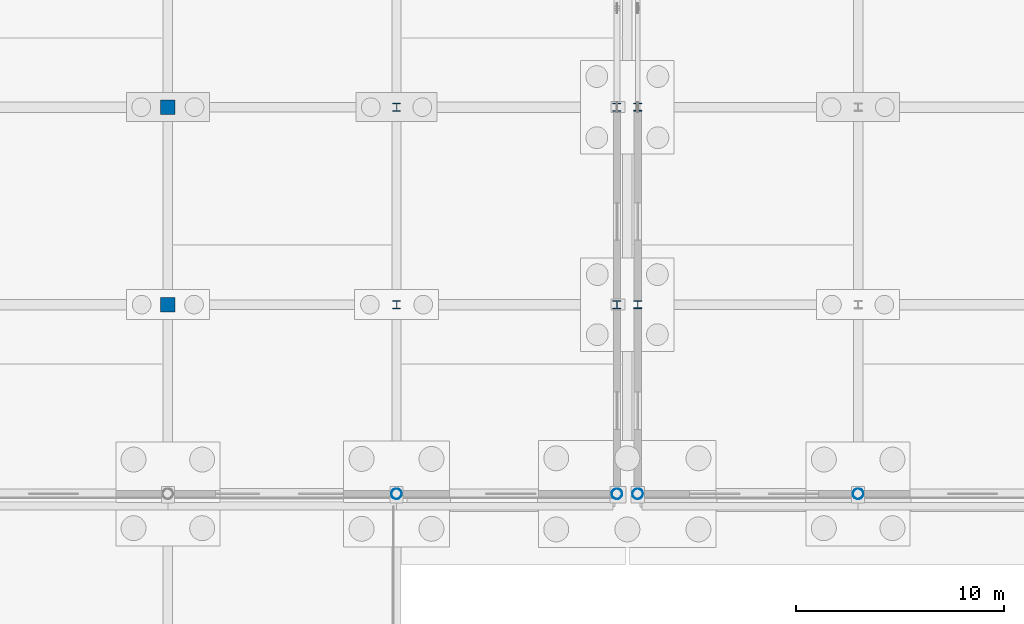
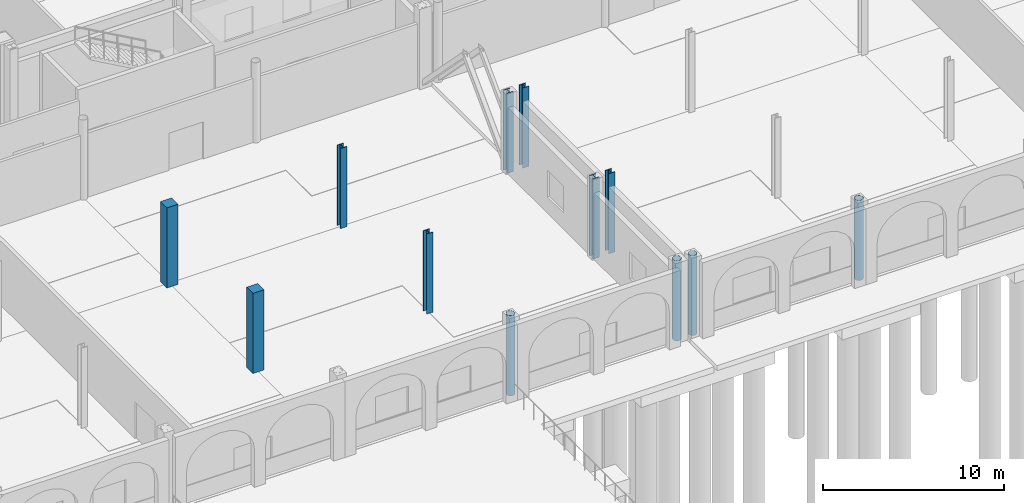
# One storey, part 17 of 83: 12 columns.
"""IFC4 building model written with IfcOpenShell, lengths in metres."""

from ifc_helpers import new_model, si_unit, direction, frame, origin, origin_2d, place, context, subcontext, project, spatial, rectangle, hollow_circle, i_section, extrude, material, material_profile, profile_set, type_object, element, save


model = new_model("IFC4")

# Units and contexts
model_context = context("Model", 3, precision=1e-05, world=origin(), true_north=direction((0.0, 1.0)))
body_context = subcontext(model_context, "Body", "Model", "MODEL_VIEW")
ifc_project = project(units=[si_unit("LENGTHUNIT", "METRE"), si_unit("AREAUNIT", "SQUARE_METRE"), si_unit("VOLUMEUNIT", "CUBIC_METRE"), si_unit("PLANEANGLEUNIT", "RADIAN"), si_unit("MASSUNIT", "GRAM", prefix="KILO")], contexts=[model_context])

# Site, building, storey
site_placement = place(None, origin())
site = spatial("IfcSite", under=ifc_project, at=site_placement, CompositionType="ELEMENT")
building_placement = place(site_placement, origin())
building = spatial("IfcBuilding", under=site, at=building_placement, Name="Caurita Quay Ferry Terminal", CompositionType="ELEMENT")
storey_placement = place(building_placement, origin())
storey = spatial("IfcBuildingStorey", under=building, at=storey_placement, Name="L00", CompositionType="ELEMENT", Elevation=0.0)

# Columns
ifc_material_1 = material(Name="Hollow structural steel ASTM A500 Gr. C", Category="steel")
ifc_material_profile_1 = material_profile(ifc_material_1, hollow_circle(Radius=0.25390625, WallThickness=0.01171875, at=origin_2d()), Name="HSS20.000X0.500")
ifc_profile_set_1 = profile_set([ifc_material_profile_1], Name="Hollow structural steel ASTM A500 Gr. C")
column_type_1 = type_object("IfcColumnType", Name="COL-MST-01", PredefinedType="COLUMN", material=ifc_profile_set_1)
for number, where, z_axis, x_axis, name in (
    (1, (77.0, 34.60009765625, 0.0), (0.0, 0.0, 1.0), (1.0, 0.0, 0.0), "L00 Column V1-MST-08-S"),
    (2, (87.60009765625, 34.60009765625, 0.0), (0.0, 0.0, 1.0), (1.0, 0.0, 0.0), "L00 Column V1-MST-09-S"),
    (3, (88.60009765625, 34.60009765625, 0.0), (0.0, 0.0, 1.0), (1.0, 0.0, 0.0), "L00 Column V2-MST-10-S"),
    (4, (99.199951171875, 34.60009765625, 0.0), (0.0, 0.0, 1.0), (1.0, 0.0, 0.0), "L00 Column V2-MST-11-S"),
):
    element("IfcColumn", number, at=place(storey_placement, frame(where, z_axis=z_axis, x_axis=x_axis)), inside=storey, type_object=column_type_1, Name=name, PredefinedType="COLUMN", context=body_context, shape_type="SweptSolid", body=[
        extrude(hollow_circle(Radius=0.25390625, WallThickness=0.01171875, at=origin_2d()), origin(), (0.0, 0.0, 1.0), 5.39990234375),
    ])
ifc_material_2 = material(Name="Reinforced concrete C35/45", Category="concrete")
ifc_material_profile_2 = material_profile(ifc_material_2, rectangle(XDim=0.699951171875, YDim=0.699951171875, at=origin_2d()), Name="RC-COL-700X700")
ifc_profile_set_2 = profile_set([ifc_material_profile_2], Name="Reinforced concrete C35/45")
column_type_2 = type_object("IfcColumnType", Name="COL-RC-700", PredefinedType="COLUMN", material=ifc_profile_set_2)
for number, where, z_axis, x_axis, name in (
    (5, (66.0, 43.699951171875, 0.0), (0.0, 0.0, 1.0), (1.0, 0.0, 0.0), "L00 Column V1-SUB-07-G"),
    (6, (66.0, 53.199951171875, 0.0), (0.0, 0.0, 1.0), (1.0, 0.0, 0.0), "L00 Column V1-SUB-07-H"),
):
    element("IfcColumn", number, at=place(storey_placement, frame(where, z_axis=z_axis, x_axis=x_axis)), inside=storey, type_object=column_type_2, Name=name, PredefinedType="COLUMN", context=body_context, shape_type="SweptSolid", body=[
        extrude(rectangle(XDim=0.699951171875, YDim=0.699951171875, at=origin_2d()), origin(), (0.0, 0.0, 1.0), 5.39990234375),
    ])
ifc_material_3 = material(Name="Structural steel ASTM A992 Gr. 50", Category="steel")
ifc_material_profile_3 = material_profile(ifc_material_3, i_section(OverallWidth=0.406494140625, OverallDepth=0.41650390625, WebThickness=0.02978515625, FlangeThickness=0.048095703125, FilletRadius=0.017822265625, at=origin_2d()), Name="W14X257")
ifc_profile_set_3 = profile_set([ifc_material_profile_3], Name="Structural steel ASTM A992 Gr. 50")
column_type_3 = type_object("IfcColumnType", Name="COL-STL-02", PredefinedType="COLUMN", material=ifc_profile_set_3)
for number, where, z_axis, x_axis, name in (
    (7, (87.60009765625, 43.699951171875, 0.0), (0.0, 0.0, 1.0), (1.0, 0.0, 0.0), "L00 Column V1-GBL-09-G"),
    (8, (87.60009765625, 53.199951171875, 0.0), (0.0, 0.0, 1.0), (1.0, 0.0, 0.0), "L00 Column V1-GBL-09-H"),
):
    element("IfcColumn", number, at=place(storey_placement, frame(where, z_axis=z_axis, x_axis=x_axis)), inside=storey, type_object=column_type_3, Name=name, PredefinedType="COLUMN", context=body_context, shape_type="SweptSolid", body=[
        extrude(i_section(OverallWidth=0.406494140625, OverallDepth=0.41650390625, WebThickness=0.02978515625, FlangeThickness=0.048095703125, FilletRadius=0.017822265625, at=origin_2d()), origin(), (0.0, 0.0, 1.0), 5.39990234375),
    ])
ifc_material_profile_4 = material_profile(ifc_material_3, i_section(OverallWidth=0.40087890625, OverallDepth=0.39892578125, WebThickness=0.02490234375, FlangeThickness=0.03955078125, at=origin_2d()), Name="W14X211")
ifc_profile_set_4 = profile_set([ifc_material_profile_4], Name="Structural steel ASTM A992 Gr. 50")
column_type_4 = type_object("IfcColumnType", Name="COL-STL-03", PredefinedType="COLUMN", material=ifc_profile_set_4)
for number, where, z_axis, x_axis, name in (
    (9, (77.0, 43.699951171875, 0.0), (0.0, 0.0, 1.0), (1.0, 0.0, 0.0), "L00 Column V1-SUB-08-G"),
    (10, (77.0, 53.199951171875, 0.0), (0.0, 0.0, 1.0), (1.0, 0.0, 0.0), "L00 Column V1-SUB-08-H"),
):
    element("IfcColumn", number, at=place(storey_placement, frame(where, z_axis=z_axis, x_axis=x_axis)), inside=storey, type_object=column_type_4, Name=name, PredefinedType="COLUMN", context=body_context, shape_type="SweptSolid", body=[
        extrude(i_section(OverallWidth=0.40087890625, OverallDepth=0.39892578125, WebThickness=0.02490234375, FlangeThickness=0.03955078125, at=origin_2d()), origin(), (0.0, 0.0, 1.0), 5.39990234375),
    ])
ifc_material_profile_5 = material_profile(ifc_material_3, i_section(OverallWidth=0.398681640625, OverallDepth=0.393798828125, WebThickness=0.022705078125, FlangeThickness=0.03662109375, FilletRadius=0.017822265625, at=origin_2d()), Name="W14X193")
ifc_profile_set_5 = profile_set([ifc_material_profile_5], Name="Structural steel ASTM A992 Gr. 50")
column_type_5 = type_object("IfcColumnType", Name="COL-STL-04", PredefinedType="COLUMN", material=ifc_profile_set_5)
for number, where, z_axis, x_axis, name in (
    (11, (88.60009765625, 43.699951171875, 0.0), (0.0, 0.0, 1.0), (1.0, 0.0, 0.0), "L00 Column V2-GBL-10-G"),
    (12, (88.60009765625, 53.199951171875, 0.0), (0.0, 0.0, 1.0), (1.0, 0.0, 0.0), "L00 Column V2-GBL-10-H"),
):
    element("IfcColumn", number, at=place(storey_placement, frame(where, z_axis=z_axis, x_axis=x_axis)), inside=storey, type_object=column_type_5, Name=name, PredefinedType="COLUMN", context=body_context, shape_type="SweptSolid", body=[
        extrude(i_section(OverallWidth=0.398681640625, OverallDepth=0.393798828125, WebThickness=0.022705078125, FlangeThickness=0.03662109375, FilletRadius=0.017822265625, at=origin_2d()), origin(), (0.0, 0.0, 1.0), 5.39990234375),
    ])

save(model, "model.ifc")
